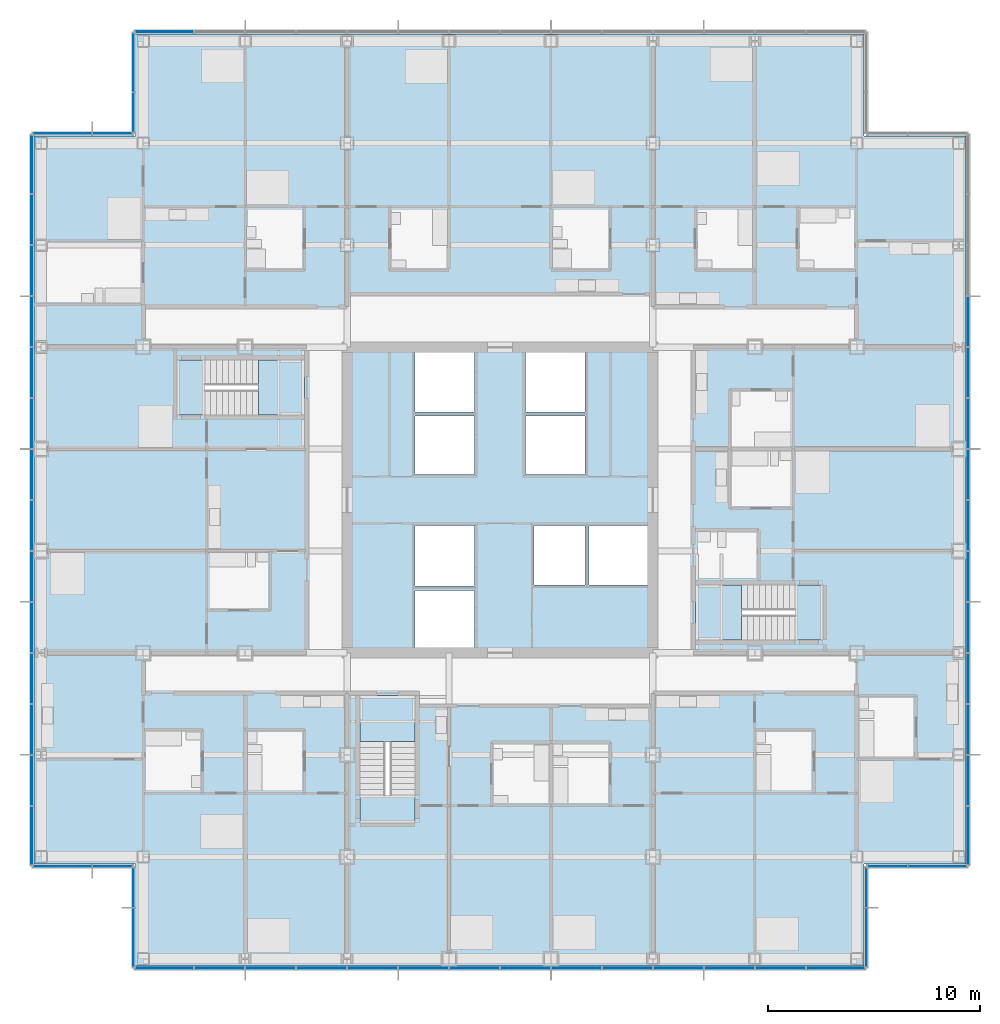
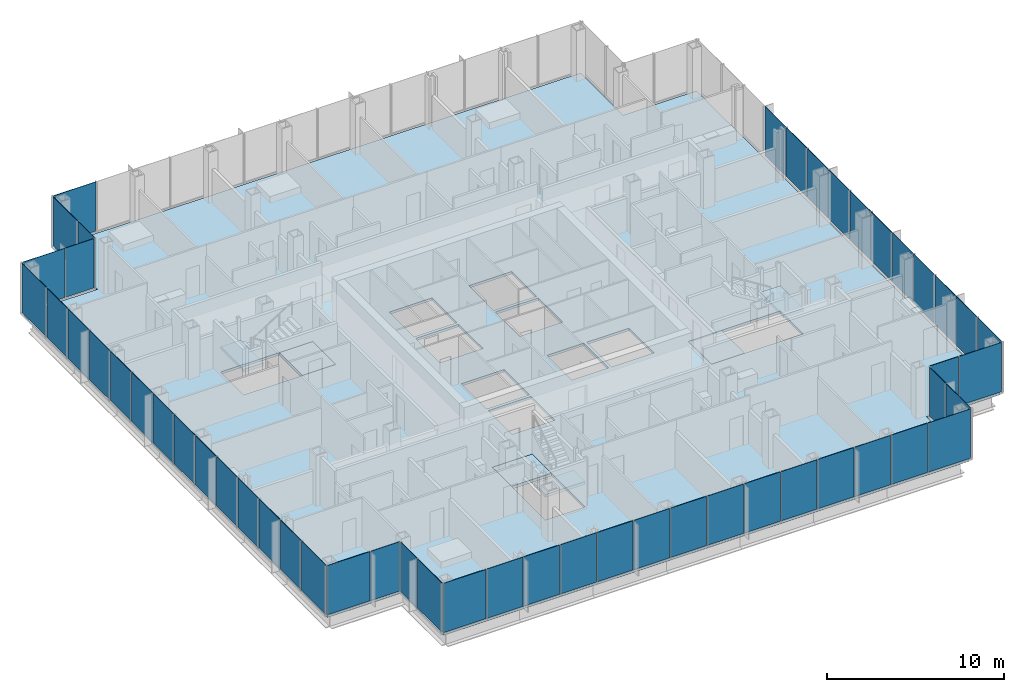
# One storey, part 12 of 21: 52 plates, 7 slabs, 13 elements without a shape of their own.
"""IFC4 building model written with IfcOpenShell, lengths in metres."""

from ifc_helpers import new_model, si_unit, direction, frame, origin, origin_2d, place, context, subcontext, project, spatial, polyline, rectangle, outline, extrude, material, layer, layer_set, type_object, element, aggregate, save


model = new_model("IFC4")

# Units and contexts
model_context = context("Model", 3, precision=1e-05, world=origin(), true_north=direction((0.0, 1.0)))
body_context = subcontext(model_context, "Body", "Model", "MODEL_VIEW")
ifc_project = project(units=[si_unit("LENGTHUNIT", "METRE"), si_unit("AREAUNIT", "SQUARE_METRE"), si_unit("VOLUMEUNIT", "CUBIC_METRE"), si_unit("PLANEANGLEUNIT", "RADIAN"), si_unit("MASSUNIT", "GRAM", prefix="KILO")], contexts=[model_context])

# Site, building, storey
site_placement = place(None, origin())
site = spatial("IfcSite", under=ifc_project, at=site_placement, CompositionType="ELEMENT")
building_placement = place(site_placement, origin())
building = spatial("IfcBuilding", under=site, at=building_placement, Name="Kvirike Care Tower", CompositionType="ELEMENT")
storey_placement = place(building_placement, frame((0.0, 0.0, 44.5)))
storey = spatial("IfcBuildingStorey", under=building, at=storey_placement, Name="L11", CompositionType="ELEMENT", Elevation=44.5)

# Slab
ifc_material_1 = material(Name="Concrete C35/45", Category="concrete")
ifc_layer_1 = layer(ifc_material_1, 0.169921875)
ifc_layer_set_1 = layer_set([ifc_layer_1], Name="FLOOR SLAB 170")
slab_type_1 = type_object("IfcSlabType", Name="FLOOR SLAB 170", PredefinedType="FLOOR", material=ifc_layer_set_1)
slab_1_placement = place(storey_placement, frame((0.0, 0.0, -0.169921875)))
element("IfcSlab", 1, at=slab_1_placement, inside=storey, type_object=slab_type_1, Name="Floor slab L11", PredefinedType="FLOOR", context=body_context, shape_type="SweptSolid", body=[
    extrude(outline(polyline([(-0.35009765625, 53.14990234375), (-0.35009765625, 18.85009765625), (4.449951171875, 18.85009765625), (4.449951171875, 14.050048828125), (38.75, 14.050048828125), (38.75, 18.85009765625), (43.550048828125, 18.85009765625), (43.550048828125, 53.14990234375), (38.75, 53.14990234375), (38.75, 57.949951171875), (4.449951171875, 57.949951171875), (4.449951171875, 53.14990234375), (-0.35009765625, 53.14990234375)]), holes=[polyline([(17.60009765625, 29.050048828125), (17.60009765625, 31.75), (20.39990234375, 31.75), (20.39990234375, 29.050048828125), (17.60009765625, 29.050048828125)]), polyline([(17.60009765625, 31.949951171875), (17.60009765625, 34.800048828125), (20.39990234375, 34.800048828125), (20.39990234375, 31.949951171875), (17.60009765625, 31.949951171875)]), polyline([(17.60009765625, 37.199951171875), (17.60009765625, 39.949951171875), (20.39990234375, 39.949951171875), (20.39990234375, 37.199951171875), (17.60009765625, 37.199951171875)]), polyline([(17.60009765625, 40.14990234375), (17.60009765625, 42.949951171875), (20.39990234375, 42.949951171875), (20.39990234375, 40.14990234375), (17.60009765625, 40.14990234375)]), polyline([(22.800048828125, 37.199951171875), (22.800048828125, 39.949951171875), (25.60009765625, 39.949951171875), (25.60009765625, 37.199951171875), (22.800048828125, 37.199951171875)]), polyline([(22.800048828125, 40.14990234375), (22.800048828125, 42.949951171875), (25.60009765625, 42.949951171875), (25.60009765625, 40.14990234375), (22.800048828125, 40.14990234375)]), polyline([(23.199951171875, 32.0), (23.199951171875, 34.800048828125), (25.60009765625, 34.800048828125), (25.60009765625, 32.0), (23.199951171875, 32.0)]), polyline([(25.800048828125, 32.0), (25.800048828125, 34.800048828125), (28.550048828125, 34.800048828125), (28.550048828125, 32.0), (25.800048828125, 32.0)]), polyline([(12.39990234375, 42.60009765625), (12.39990234375, 40.0), (6.39990234375, 40.0), (6.39990234375, 42.60009765625), (12.39990234375, 42.60009765625)]), polyline([(30.800048828125, 29.39990234375), (30.800048828125, 32.0), (36.800048828125, 32.0), (36.800048828125, 29.39990234375), (30.800048828125, 29.39990234375)]), polyline([(15.0, 26.800048828125), (17.60009765625, 26.800048828125), (17.60009765625, 20.800048828125), (15.0, 20.800048828125), (15.0, 26.800048828125)])]), origin(), (0.0, 0.0, 1.0), 0.169921875),
])

# Stair, slabs
ifc_material_2 = material(Name="Concrete C35/45", Category="concrete")
stair_type = type_object("IfcStairType", Name="STAIR 20 RISERS", PredefinedType="HALF_TURN_STAIR", material=ifc_material_2)
stair_1_placement = place(storey_placement, origin())
stair_1 = element("IfcStair", 2, at=stair_1_placement, inside=storey, type_object=stair_type, Name="Stair 1 L11", PredefinedType="HALF_TURN_STAIR")
ifc_material_3 = material(Name="Concrete C35/45", Category="concrete")
ifc_layer_2 = layer(ifc_material_3, 0.199951171875)
ifc_layer_set_2 = layer_set([ifc_layer_2], Name="STAIR LANDING 200")
slab_type_2 = type_object("IfcSlabType", Name="STAIR LANDING 200", PredefinedType="LANDING", material=ifc_layer_set_2)
slab_2_placement = place(storey_placement, frame((0.0, 0.0, -0.199951171875)))
slab_2 = element("IfcSlab", 3, at=slab_2_placement, type_object=slab_type_2, Name="Stair S1 floor landing L11", PredefinedType="LANDING", context=body_context, shape_type="SweptSolid", body=[
    extrude(outline(polyline([(10.219970703125, 42.60009765625), (10.219970703125, 40.0), (12.39990234375, 40.0), (12.39990234375, 42.60009765625), (10.219970703125, 42.60009765625)])), origin(), (0.0, 0.0, 1.0), 0.199951171875),
])
slab_3_placement = place(storey_placement, frame((0.0, 0.0, 1.550048828125)))
slab_3 = element("IfcSlab", 4, at=slab_3_placement, type_object=slab_type_2, Name="Stair S1 half landing L11-L12", PredefinedType="LANDING", context=body_context, shape_type="SweptSolid", body=[
    extrude(outline(polyline([(6.39990234375, 42.60009765625), (6.39990234375, 40.0), (7.699951171875, 40.0), (7.699951171875, 42.60009765625), (6.39990234375, 42.60009765625)])), origin(), (0.0, 0.0, 1.0), 0.199951171875),
])
aggregate(stair_1, [slab_2, slab_3])

stair_2_placement = place(storey_placement, origin())
stair_2 = element("IfcStair", 5, at=stair_2_placement, inside=storey, type_object=stair_type, Name="Stair 2 L11", PredefinedType="HALF_TURN_STAIR")
slab_4_placement = place(storey_placement, frame((0.0, 0.0, -0.199951171875)))
slab_4 = element("IfcSlab", 6, at=slab_4_placement, type_object=slab_type_2, Name="Stair S2 floor landing L11", PredefinedType="LANDING", context=body_context, shape_type="SweptSolid", body=[
    extrude(outline(polyline([(32.97998046875, 29.39990234375), (32.97998046875, 32.0), (30.800048828125, 32.0), (30.800048828125, 29.39990234375), (32.97998046875, 29.39990234375)])), origin(), (0.0, 0.0, 1.0), 0.199951171875),
])
slab_5_placement = place(storey_placement, frame((0.0, 0.0, 1.550048828125)))
slab_5 = element("IfcSlab", 7, at=slab_5_placement, type_object=slab_type_2, Name="Stair S2 half landing L11-L12", PredefinedType="LANDING", context=body_context, shape_type="SweptSolid", body=[
    extrude(outline(polyline([(36.800048828125, 29.39990234375), (36.800048828125, 32.0), (35.5, 32.0), (35.5, 29.39990234375), (36.800048828125, 29.39990234375)])), origin(), (0.0, 0.0, 1.0), 0.199951171875),
])
aggregate(stair_2, [slab_4, slab_5])

stair_3_placement = place(storey_placement, origin())
stair_3 = element("IfcStair", 8, at=stair_3_placement, inside=storey, type_object=stair_type, Name="Stair 5 L11", PredefinedType="HALF_TURN_STAIR")
slab_6_placement = place(storey_placement, frame((0.0, 0.0, -0.199951171875)))
slab_6 = element("IfcSlab", 9, at=slab_6_placement, type_object=slab_type_2, Name="Stair S5 floor landing L11", PredefinedType="LANDING", context=body_context, shape_type="SweptSolid", body=[
    extrude(outline(polyline([(15.0, 24.6201171875), (17.60009765625, 24.6201171875), (17.60009765625, 26.800048828125), (15.0, 26.800048828125), (15.0, 24.6201171875)])), origin(), (0.0, 0.0, 1.0), 0.199951171875),
])
slab_7_placement = place(storey_placement, frame((0.0, 0.0, 1.550048828125)))
slab_7 = element("IfcSlab", 10, at=slab_7_placement, type_object=slab_type_2, Name="Stair S5 half landing L11-L12", PredefinedType="LANDING", context=body_context, shape_type="SweptSolid", body=[
    extrude(outline(polyline([(15.0, 20.800048828125), (17.60009765625, 20.800048828125), (17.60009765625, 22.10009765625), (15.0, 22.10009765625), (15.0, 20.800048828125)])), origin(), (0.0, 0.0, 1.0), 0.199951171875),
])
aggregate(stair_3, [slab_6, slab_7])

# Curtain wall, plates
ifc_material_4 = material(Name="Anodised aluminium stick system", Category="aluminium")
curtain_wall_type = type_object("IfcCurtainWallType", Name="CW-A STICK CURTAIN WALL", PredefinedType="NOTDEFINED", material=ifc_material_4)
curtain_wall_1_placement = place(storey_placement, origin())
curtain_wall_1 = element("IfcCurtainWall", 11, at=curtain_wall_1_placement, inside=storey, type_object=curtain_wall_type, Name="Curtain wall L11 face 1", PredefinedType="NOTDEFINED")
ifc_material_5 = material(Name="Tinted double glazed unit", Category="glass")
ifc_layer_3 = layer(ifc_material_5, 0.031982421875)
ifc_layer_set_3 = layer_set([ifc_layer_3], Name="TINTED VISION PANEL 32")
plate_type = type_object("IfcPlateType", Name="TINTED VISION PANEL 32", PredefinedType="CURTAIN_PANEL", material=ifc_layer_set_3)
plate_1_placement = place(storey_placement, frame((-0.449951171875, 51.808837890625, 0.10009765625), z_axis=(0.0, 0.0, 1.0), x_axis=(0.0, -1.0, 0.0)))
plate_1 = element("IfcPlate", 12, at=plate_1_placement, type_object=plate_type, Name="CW-A panel L11 face 1.1", PredefinedType="CURTAIN_PANEL", context=body_context, shape_type="SweptSolid", body=[
    extrude(rectangle(XDim=2.75244140625, YDim=0.031982421875, at=origin_2d()), origin(), (0.0, 0.0, 1.0), 3.39990234375),
])
plate_2_placement = place(storey_placement, frame((-0.449951171875, 49.199951171875, 0.10009765625), z_axis=(0.0, 0.0, 1.0), x_axis=(0.0, -1.0, 0.0)))
plate_2 = element("IfcPlate", 13, at=plate_2_placement, type_object=plate_type, Name="CW-A panel L11 face 1.2", PredefinedType="CURTAIN_PANEL", context=body_context, shape_type="SweptSolid", body=[
    extrude(rectangle(XDim=2.3349609375, YDim=0.031982421875, at=origin_2d()), origin(), (0.0, 0.0, 1.0), 3.39990234375),
])
plate_3_placement = place(storey_placement, frame((-0.449951171875, 46.800048828125, 0.10009765625), z_axis=(0.0, 0.0, 1.0), x_axis=(0.0, -1.0, 0.0)))
plate_3 = element("IfcPlate", 14, at=plate_3_placement, type_object=plate_type, Name="CW-A panel L11 face 1.3", PredefinedType="CURTAIN_PANEL", context=body_context, shape_type="SweptSolid", body=[
    extrude(rectangle(XDim=2.3349609375, YDim=0.031982421875, at=origin_2d()), origin(), (0.0, 0.0, 1.0), 3.39990234375),
])
plate_4_placement = place(storey_placement, frame((-0.449951171875, 44.39990234375, 0.10009765625), z_axis=(0.0, 0.0, 1.0), x_axis=(0.0, -1.0, 0.0)))
plate_4 = element("IfcPlate", 15, at=plate_4_placement, type_object=plate_type, Name="CW-A panel L11 face 1.4", PredefinedType="CURTAIN_PANEL", context=body_context, shape_type="SweptSolid", body=[
    extrude(rectangle(XDim=2.3349609375, YDim=0.031982421875, at=origin_2d()), origin(), (0.0, 0.0, 1.0), 3.39990234375),
])
plate_5_placement = place(storey_placement, frame((-0.449951171875, 42.0, 0.10009765625), z_axis=(0.0, 0.0, 1.0), x_axis=(0.0, -1.0, 0.0)))
plate_5 = element("IfcPlate", 16, at=plate_5_placement, type_object=plate_type, Name="CW-A panel L11 face 1.5", PredefinedType="CURTAIN_PANEL", context=body_context, shape_type="SweptSolid", body=[
    extrude(rectangle(XDim=2.3349609375, YDim=0.031982421875, at=origin_2d()), origin(), (0.0, 0.0, 1.0), 3.39990234375),
])
plate_6_placement = place(storey_placement, frame((-0.449951171875, 39.60009765625, 0.10009765625), z_axis=(0.0, 0.0, 1.0), x_axis=(0.0, -1.0, 0.0)))
plate_6 = element("IfcPlate", 17, at=plate_6_placement, type_object=plate_type, Name="CW-A panel L11 face 1.6", PredefinedType="CURTAIN_PANEL", context=body_context, shape_type="SweptSolid", body=[
    extrude(rectangle(XDim=2.3349609375, YDim=0.031982421875, at=origin_2d()), origin(), (0.0, 0.0, 1.0), 3.39990234375),
])
plate_7_placement = place(storey_placement, frame((-0.449951171875, 37.199951171875, 0.10009765625), z_axis=(0.0, 0.0, 1.0), x_axis=(0.0, -1.0, 0.0)))
plate_7 = element("IfcPlate", 18, at=plate_7_placement, type_object=plate_type, Name="CW-A panel L11 face 1.7", PredefinedType="CURTAIN_PANEL", context=body_context, shape_type="SweptSolid", body=[
    extrude(rectangle(XDim=2.3349609375, YDim=0.031982421875, at=origin_2d()), origin(), (0.0, 0.0, 1.0), 3.39990234375),
])
plate_8_placement = place(storey_placement, frame((-0.449951171875, 34.800048828125, 0.10009765625), z_axis=(0.0, 0.0, 1.0), x_axis=(0.0, -1.0, 0.0)))
plate_8 = element("IfcPlate", 19, at=plate_8_placement, type_object=plate_type, Name="CW-A panel L11 face 1.8", PredefinedType="CURTAIN_PANEL", context=body_context, shape_type="SweptSolid", body=[
    extrude(rectangle(XDim=2.3349609375, YDim=0.031982421875, at=origin_2d()), origin(), (0.0, 0.0, 1.0), 3.39990234375),
])
plate_9_placement = place(storey_placement, frame((-0.449951171875, 32.39990234375, 0.10009765625), z_axis=(0.0, 0.0, 1.0), x_axis=(0.0, -1.0, 0.0)))
plate_9 = element("IfcPlate", 20, at=plate_9_placement, type_object=plate_type, Name="CW-A panel L11 face 1.9", PredefinedType="CURTAIN_PANEL", context=body_context, shape_type="SweptSolid", body=[
    extrude(rectangle(XDim=2.3349609375, YDim=0.031982421875, at=origin_2d()), origin(), (0.0, 0.0, 1.0), 3.39990234375),
])
plate_10_placement = place(storey_placement, frame((-0.449951171875, 30.0, 0.10009765625), z_axis=(0.0, 0.0, 1.0), x_axis=(0.0, -1.0, 0.0)))
plate_10 = element("IfcPlate", 21, at=plate_10_placement, type_object=plate_type, Name="CW-A panel L11 face 1.10", PredefinedType="CURTAIN_PANEL", context=body_context, shape_type="SweptSolid", body=[
    extrude(rectangle(XDim=2.3349609375, YDim=0.031982421875, at=origin_2d()), origin(), (0.0, 0.0, 1.0), 3.39990234375),
])
plate_11_placement = place(storey_placement, frame((-0.449951171875, 27.60009765625, 0.10009765625), z_axis=(0.0, 0.0, 1.0), x_axis=(0.0, -1.0, 0.0)))
plate_11 = element("IfcPlate", 22, at=plate_11_placement, type_object=plate_type, Name="CW-A panel L11 face 1.11", PredefinedType="CURTAIN_PANEL", context=body_context, shape_type="SweptSolid", body=[
    extrude(rectangle(XDim=2.3349609375, YDim=0.031982421875, at=origin_2d()), origin(), (0.0, 0.0, 1.0), 3.39990234375),
])
plate_12_placement = place(storey_placement, frame((-0.449951171875, 25.199951171875, 0.10009765625), z_axis=(0.0, 0.0, 1.0), x_axis=(0.0, -1.0, 0.0)))
plate_12 = element("IfcPlate", 23, at=plate_12_placement, type_object=plate_type, Name="CW-A panel L11 face 1.12", PredefinedType="CURTAIN_PANEL", context=body_context, shape_type="SweptSolid", body=[
    extrude(rectangle(XDim=2.3349609375, YDim=0.031982421875, at=origin_2d()), origin(), (0.0, 0.0, 1.0), 3.39990234375),
])
plate_13_placement = place(storey_placement, frame((-0.449951171875, 22.800048828125, 0.10009765625), z_axis=(0.0, 0.0, 1.0), x_axis=(0.0, -1.0, 0.0)))
plate_13 = element("IfcPlate", 24, at=plate_13_placement, type_object=plate_type, Name="CW-A panel L11 face 1.13", PredefinedType="CURTAIN_PANEL", context=body_context, shape_type="SweptSolid", body=[
    extrude(rectangle(XDim=2.3349609375, YDim=0.031982421875, at=origin_2d()), origin(), (0.0, 0.0, 1.0), 3.39990234375),
])
plate_14_placement = place(storey_placement, frame((-0.449951171875, 20.191162109375, 0.10009765625), z_axis=(0.0, 0.0, 1.0), x_axis=(0.0, -1.0, 0.0)))
plate_14 = element("IfcPlate", 25, at=plate_14_placement, type_object=plate_type, Name="CW-A panel L11 face 1.14", PredefinedType="CURTAIN_PANEL", context=body_context, shape_type="SweptSolid", body=[
    extrude(rectangle(XDim=2.75244140625, YDim=0.031982421875, at=origin_2d()), origin(), (0.0, 0.0, 1.0), 3.39990234375),
])
aggregate(curtain_wall_1, [plate_1, plate_2, plate_3, plate_4, plate_5, plate_6, plate_7, plate_8, plate_9, plate_10, plate_11, plate_12, plate_13, plate_14])

curtain_wall_2_placement = place(storey_placement, origin())
curtain_wall_2 = element("IfcCurtainWall", 26, at=curtain_wall_2_placement, inside=storey, type_object=curtain_wall_type, Name="Curtain wall L11 face 2", PredefinedType="NOTDEFINED")
plate_15_placement = place(storey_placement, frame((0.9912109375, 18.75, 0.10009765625), z_axis=(0.0, 0.0, 1.0), x_axis=(1.0, 0.0, 0.0)))
plate_15 = element("IfcPlate", 27, at=plate_15_placement, type_object=plate_type, Name="CW-A panel L11 face 2.1", PredefinedType="CURTAIN_PANEL", context=body_context, shape_type="SweptSolid", body=[
    extrude(rectangle(XDim=2.75244140625, YDim=0.031982421875, at=origin_2d()), origin(), (0.0, 0.0, 1.0), 3.39990234375),
])
plate_16_placement = place(storey_placement, frame((3.358642578125, 18.75, 0.10009765625), z_axis=(0.0, 0.0, 1.0), x_axis=(1.0, 0.0, 0.0)))
plate_16 = element("IfcPlate", 28, at=plate_16_placement, type_object=plate_type, Name="CW-A panel L11 face 2.2", PredefinedType="CURTAIN_PANEL", context=body_context, shape_type="SweptSolid", body=[
    extrude(rectangle(XDim=1.8525390625, YDim=0.031982421875, at=origin_2d()), origin(), (0.0, 0.0, 1.0), 3.39990234375),
])
aggregate(curtain_wall_2, [plate_15, plate_16])

curtain_wall_3_placement = place(storey_placement, origin())
curtain_wall_3 = element("IfcCurtainWall", 29, at=curtain_wall_3_placement, inside=storey, type_object=curtain_wall_type, Name="Curtain wall L11 face 3", PredefinedType="NOTDEFINED")
plate_17_placement = place(storey_placement, frame((4.35009765625, 17.7587890625, 0.10009765625), z_axis=(0.0, 0.0, 1.0), x_axis=(0.0, -1.0, 0.0)))
plate_17 = element("IfcPlate", 30, at=plate_17_placement, type_object=plate_type, Name="CW-A panel L11 face 3.1", PredefinedType="CURTAIN_PANEL", context=body_context, shape_type="SweptSolid", body=[
    extrude(rectangle(XDim=1.8525390625, YDim=0.031982421875, at=origin_2d()), origin(), (0.0, 0.0, 1.0), 3.39990234375),
])
plate_18_placement = place(storey_placement, frame((4.35009765625, 15.391357421875, 0.10009765625), z_axis=(0.0, 0.0, 1.0), x_axis=(0.0, -1.0, 0.0)))
plate_18 = element("IfcPlate", 31, at=plate_18_placement, type_object=plate_type, Name="CW-A panel L11 face 3.2", PredefinedType="CURTAIN_PANEL", context=body_context, shape_type="SweptSolid", body=[
    extrude(rectangle(XDim=2.75244140625, YDim=0.031982421875, at=origin_2d()), origin(), (0.0, 0.0, 1.0), 3.39990234375),
])
aggregate(curtain_wall_3, [plate_17, plate_18])

curtain_wall_4_placement = place(storey_placement, origin())
curtain_wall_4 = element("IfcCurtainWall", 32, at=curtain_wall_4_placement, inside=storey, type_object=curtain_wall_type, Name="Curtain wall L11 face 4", PredefinedType="NOTDEFINED")
plate_19_placement = place(storey_placement, frame((5.791259765625, 13.949951171875, 0.10009765625), z_axis=(0.0, 0.0, 1.0), x_axis=(1.0, 0.0, 0.0)))
plate_19 = element("IfcPlate", 33, at=plate_19_placement, type_object=plate_type, Name="CW-A panel L11 face 4.1", PredefinedType="CURTAIN_PANEL", context=body_context, shape_type="SweptSolid", body=[
    extrude(rectangle(XDim=2.75244140625, YDim=0.031982421875, at=origin_2d()), origin(), (0.0, 0.0, 1.0), 3.39990234375),
])
plate_20_placement = place(storey_placement, frame((8.39990234375, 13.949951171875, 0.10009765625), z_axis=(0.0, 0.0, 1.0), x_axis=(1.0, 0.0, 0.0)))
plate_20 = element("IfcPlate", 34, at=plate_20_placement, type_object=plate_type, Name="CW-A panel L11 face 4.2", PredefinedType="CURTAIN_PANEL", context=body_context, shape_type="SweptSolid", body=[
    extrude(rectangle(XDim=2.3349609375, YDim=0.031982421875, at=origin_2d()), origin(), (0.0, 0.0, 1.0), 3.39990234375),
])
plate_21_placement = place(storey_placement, frame((10.800048828125, 13.949951171875, 0.10009765625), z_axis=(0.0, 0.0, 1.0), x_axis=(1.0, 0.0, 0.0)))
plate_21 = element("IfcPlate", 35, at=plate_21_placement, type_object=plate_type, Name="CW-A panel L11 face 4.3", PredefinedType="CURTAIN_PANEL", context=body_context, shape_type="SweptSolid", body=[
    extrude(rectangle(XDim=2.3349609375, YDim=0.031982421875, at=origin_2d()), origin(), (0.0, 0.0, 1.0), 3.39990234375),
])
plate_22_placement = place(storey_placement, frame((13.199951171875, 13.949951171875, 0.10009765625), z_axis=(0.0, 0.0, 1.0), x_axis=(1.0, 0.0, 0.0)))
plate_22 = element("IfcPlate", 36, at=plate_22_placement, type_object=plate_type, Name="CW-A panel L11 face 4.4", PredefinedType="CURTAIN_PANEL", context=body_context, shape_type="SweptSolid", body=[
    extrude(rectangle(XDim=2.3349609375, YDim=0.031982421875, at=origin_2d()), origin(), (0.0, 0.0, 1.0), 3.39990234375),
])
plate_23_placement = place(storey_placement, frame((15.60009765625, 13.949951171875, 0.10009765625), z_axis=(0.0, 0.0, 1.0), x_axis=(1.0, 0.0, 0.0)))
plate_23 = element("IfcPlate", 37, at=plate_23_placement, type_object=plate_type, Name="CW-A panel L11 face 4.5", PredefinedType="CURTAIN_PANEL", context=body_context, shape_type="SweptSolid", body=[
    extrude(rectangle(XDim=2.3349609375, YDim=0.031982421875, at=origin_2d()), origin(), (0.0, 0.0, 1.0), 3.39990234375),
])
plate_24_placement = place(storey_placement, frame((18.0, 13.949951171875, 0.10009765625), z_axis=(0.0, 0.0, 1.0), x_axis=(1.0, 0.0, 0.0)))
plate_24 = element("IfcPlate", 38, at=plate_24_placement, type_object=plate_type, Name="CW-A panel L11 face 4.6", PredefinedType="CURTAIN_PANEL", context=body_context, shape_type="SweptSolid", body=[
    extrude(rectangle(XDim=2.3349609375, YDim=0.031982421875, at=origin_2d()), origin(), (0.0, 0.0, 1.0), 3.39990234375),
])
plate_25_placement = place(storey_placement, frame((20.39990234375, 13.949951171875, 0.10009765625), z_axis=(0.0, 0.0, 1.0), x_axis=(1.0, 0.0, 0.0)))
plate_25 = element("IfcPlate", 39, at=plate_25_placement, type_object=plate_type, Name="CW-A panel L11 face 4.7", PredefinedType="CURTAIN_PANEL", context=body_context, shape_type="SweptSolid", body=[
    extrude(rectangle(XDim=2.3349609375, YDim=0.031982421875, at=origin_2d()), origin(), (0.0, 0.0, 1.0), 3.39990234375),
])
plate_26_placement = place(storey_placement, frame((22.800048828125, 13.949951171875, 0.10009765625), z_axis=(0.0, 0.0, 1.0), x_axis=(1.0, 0.0, 0.0)))
plate_26 = element("IfcPlate", 40, at=plate_26_placement, type_object=plate_type, Name="CW-A panel L11 face 4.8", PredefinedType="CURTAIN_PANEL", context=body_context, shape_type="SweptSolid", body=[
    extrude(rectangle(XDim=2.3349609375, YDim=0.031982421875, at=origin_2d()), origin(), (0.0, 0.0, 1.0), 3.39990234375),
])
plate_27_placement = place(storey_placement, frame((25.199951171875, 13.949951171875, 0.10009765625), z_axis=(0.0, 0.0, 1.0), x_axis=(1.0, 0.0, 0.0)))
plate_27 = element("IfcPlate", 41, at=plate_27_placement, type_object=plate_type, Name="CW-A panel L11 face 4.9", PredefinedType="CURTAIN_PANEL", context=body_context, shape_type="SweptSolid", body=[
    extrude(rectangle(XDim=2.3349609375, YDim=0.031982421875, at=origin_2d()), origin(), (0.0, 0.0, 1.0), 3.39990234375),
])
plate_28_placement = place(storey_placement, frame((27.60009765625, 13.949951171875, 0.10009765625), z_axis=(0.0, 0.0, 1.0), x_axis=(1.0, 0.0, 0.0)))
plate_28 = element("IfcPlate", 42, at=plate_28_placement, type_object=plate_type, Name="CW-A panel L11 face 4.10", PredefinedType="CURTAIN_PANEL", context=body_context, shape_type="SweptSolid", body=[
    extrude(rectangle(XDim=2.3349609375, YDim=0.031982421875, at=origin_2d()), origin(), (0.0, 0.0, 1.0), 3.39990234375),
])
plate_29_placement = place(storey_placement, frame((30.0, 13.949951171875, 0.10009765625), z_axis=(0.0, 0.0, 1.0), x_axis=(1.0, 0.0, 0.0)))
plate_29 = element("IfcPlate", 43, at=plate_29_placement, type_object=plate_type, Name="CW-A panel L11 face 4.11", PredefinedType="CURTAIN_PANEL", context=body_context, shape_type="SweptSolid", body=[
    extrude(rectangle(XDim=2.3349609375, YDim=0.031982421875, at=origin_2d()), origin(), (0.0, 0.0, 1.0), 3.39990234375),
])
plate_30_placement = place(storey_placement, frame((32.39990234375, 13.949951171875, 0.10009765625), z_axis=(0.0, 0.0, 1.0), x_axis=(1.0, 0.0, 0.0)))
plate_30 = element("IfcPlate", 44, at=plate_30_placement, type_object=plate_type, Name="CW-A panel L11 face 4.12", PredefinedType="CURTAIN_PANEL", context=body_context, shape_type="SweptSolid", body=[
    extrude(rectangle(XDim=2.3349609375, YDim=0.031982421875, at=origin_2d()), origin(), (0.0, 0.0, 1.0), 3.39990234375),
])
plate_31_placement = place(storey_placement, frame((34.800048828125, 13.949951171875, 0.10009765625), z_axis=(0.0, 0.0, 1.0), x_axis=(1.0, 0.0, 0.0)))
plate_31 = element("IfcPlate", 45, at=plate_31_placement, type_object=plate_type, Name="CW-A panel L11 face 4.13", PredefinedType="CURTAIN_PANEL", context=body_context, shape_type="SweptSolid", body=[
    extrude(rectangle(XDim=2.3349609375, YDim=0.031982421875, at=origin_2d()), origin(), (0.0, 0.0, 1.0), 3.39990234375),
])
plate_32_placement = place(storey_placement, frame((37.40869140625, 13.949951171875, 0.10009765625), z_axis=(0.0, 0.0, 1.0), x_axis=(1.0, 0.0, 0.0)))
plate_32 = element("IfcPlate", 46, at=plate_32_placement, type_object=plate_type, Name="CW-A panel L11 face 4.14", PredefinedType="CURTAIN_PANEL", context=body_context, shape_type="SweptSolid", body=[
    extrude(rectangle(XDim=2.75244140625, YDim=0.031982421875, at=origin_2d()), origin(), (0.0, 0.0, 1.0), 3.39990234375),
])
aggregate(curtain_wall_4, [plate_19, plate_20, plate_21, plate_22, plate_23, plate_24, plate_25, plate_26, plate_27, plate_28, plate_29, plate_30, plate_31, plate_32])

curtain_wall_5_placement = place(storey_placement, origin())
curtain_wall_5 = element("IfcCurtainWall", 47, at=curtain_wall_5_placement, inside=storey, type_object=curtain_wall_type, Name="Curtain wall L11 face 5", PredefinedType="NOTDEFINED")
plate_33_placement = place(storey_placement, frame((38.85009765625, 15.391357421875, 0.10009765625), z_axis=(0.0, 0.0, 1.0), x_axis=(0.0, 1.0, 0.0)))
plate_33 = element("IfcPlate", 48, at=plate_33_placement, type_object=plate_type, Name="CW-A panel L11 face 5.1", PredefinedType="CURTAIN_PANEL", context=body_context, shape_type="SweptSolid", body=[
    extrude(rectangle(XDim=2.75244140625, YDim=0.031982421875, at=origin_2d()), origin(), (0.0, 0.0, 1.0), 3.39990234375),
])
plate_34_placement = place(storey_placement, frame((38.85009765625, 17.7587890625, 0.10009765625), z_axis=(0.0, 0.0, 1.0), x_axis=(0.0, 1.0, 0.0)))
plate_34 = element("IfcPlate", 49, at=plate_34_placement, type_object=plate_type, Name="CW-A panel L11 face 5.2", PredefinedType="CURTAIN_PANEL", context=body_context, shape_type="SweptSolid", body=[
    extrude(rectangle(XDim=1.8525390625, YDim=0.031982421875, at=origin_2d()), origin(), (0.0, 0.0, 1.0), 3.39990234375),
])
aggregate(curtain_wall_5, [plate_33, plate_34])

curtain_wall_6_placement = place(storey_placement, origin())
curtain_wall_6 = element("IfcCurtainWall", 50, at=curtain_wall_6_placement, inside=storey, type_object=curtain_wall_type, Name="Curtain wall L11 face 6", PredefinedType="NOTDEFINED")
plate_35_placement = place(storey_placement, frame((39.84130859375, 18.75, 0.10009765625), z_axis=(0.0, 0.0, 1.0), x_axis=(1.0, 0.0, 0.0)))
plate_35 = element("IfcPlate", 51, at=plate_35_placement, type_object=plate_type, Name="CW-A panel L11 face 6.1", PredefinedType="CURTAIN_PANEL", context=body_context, shape_type="SweptSolid", body=[
    extrude(rectangle(XDim=1.8525390625, YDim=0.031982421875, at=origin_2d()), origin(), (0.0, 0.0, 1.0), 3.39990234375),
])
plate_36_placement = place(storey_placement, frame((42.208740234375, 18.75, 0.10009765625), z_axis=(0.0, 0.0, 1.0), x_axis=(1.0, 0.0, 0.0)))
plate_36 = element("IfcPlate", 52, at=plate_36_placement, type_object=plate_type, Name="CW-A panel L11 face 6.2", PredefinedType="CURTAIN_PANEL", context=body_context, shape_type="SweptSolid", body=[
    extrude(rectangle(XDim=2.75244140625, YDim=0.031982421875, at=origin_2d()), origin(), (0.0, 0.0, 1.0), 3.39990234375),
])
aggregate(curtain_wall_6, [plate_35, plate_36])

curtain_wall_7_placement = place(storey_placement, origin())
curtain_wall_7 = element("IfcCurtainWall", 53, at=curtain_wall_7_placement, inside=storey, type_object=curtain_wall_type, Name="Curtain wall L11 face 7", PredefinedType="NOTDEFINED")
plate_37_placement = place(storey_placement, frame((43.64990234375, 20.191162109375, 0.10009765625), z_axis=(0.0, 0.0, 1.0), x_axis=(0.0, 1.0, 0.0)))
plate_37 = element("IfcPlate", 54, at=plate_37_placement, type_object=plate_type, Name="CW-A panel L11 face 7.1", PredefinedType="CURTAIN_PANEL", context=body_context, shape_type="SweptSolid", body=[
    extrude(rectangle(XDim=2.75244140625, YDim=0.031982421875, at=origin_2d()), origin(), (0.0, 0.0, 1.0), 3.39990234375),
])
plate_38_placement = place(storey_placement, frame((43.64990234375, 22.800048828125, 0.10009765625), z_axis=(0.0, 0.0, 1.0), x_axis=(0.0, 1.0, 0.0)))
plate_38 = element("IfcPlate", 55, at=plate_38_placement, type_object=plate_type, Name="CW-A panel L11 face 7.2", PredefinedType="CURTAIN_PANEL", context=body_context, shape_type="SweptSolid", body=[
    extrude(rectangle(XDim=2.3349609375, YDim=0.031982421875, at=origin_2d()), origin(), (0.0, 0.0, 1.0), 3.39990234375),
])
plate_39_placement = place(storey_placement, frame((43.64990234375, 25.199951171875, 0.10009765625), z_axis=(0.0, 0.0, 1.0), x_axis=(0.0, 1.0, 0.0)))
plate_39 = element("IfcPlate", 56, at=plate_39_placement, type_object=plate_type, Name="CW-A panel L11 face 7.3", PredefinedType="CURTAIN_PANEL", context=body_context, shape_type="SweptSolid", body=[
    extrude(rectangle(XDim=2.3349609375, YDim=0.031982421875, at=origin_2d()), origin(), (0.0, 0.0, 1.0), 3.39990234375),
])
plate_40_placement = place(storey_placement, frame((43.64990234375, 27.60009765625, 0.10009765625), z_axis=(0.0, 0.0, 1.0), x_axis=(0.0, 1.0, 0.0)))
plate_40 = element("IfcPlate", 57, at=plate_40_placement, type_object=plate_type, Name="CW-A panel L11 face 7.4", PredefinedType="CURTAIN_PANEL", context=body_context, shape_type="SweptSolid", body=[
    extrude(rectangle(XDim=2.3349609375, YDim=0.031982421875, at=origin_2d()), origin(), (0.0, 0.0, 1.0), 3.39990234375),
])
plate_41_placement = place(storey_placement, frame((43.64990234375, 30.0, 0.10009765625), z_axis=(0.0, 0.0, 1.0), x_axis=(0.0, 1.0, 0.0)))
plate_41 = element("IfcPlate", 58, at=plate_41_placement, type_object=plate_type, Name="CW-A panel L11 face 7.5", PredefinedType="CURTAIN_PANEL", context=body_context, shape_type="SweptSolid", body=[
    extrude(rectangle(XDim=2.3349609375, YDim=0.031982421875, at=origin_2d()), origin(), (0.0, 0.0, 1.0), 3.39990234375),
])
plate_42_placement = place(storey_placement, frame((43.64990234375, 32.39990234375, 0.10009765625), z_axis=(0.0, 0.0, 1.0), x_axis=(0.0, 1.0, 0.0)))
plate_42 = element("IfcPlate", 59, at=plate_42_placement, type_object=plate_type, Name="CW-A panel L11 face 7.6", PredefinedType="CURTAIN_PANEL", context=body_context, shape_type="SweptSolid", body=[
    extrude(rectangle(XDim=2.3349609375, YDim=0.031982421875, at=origin_2d()), origin(), (0.0, 0.0, 1.0), 3.39990234375),
])
plate_43_placement = place(storey_placement, frame((43.64990234375, 34.800048828125, 0.10009765625), z_axis=(0.0, 0.0, 1.0), x_axis=(0.0, 1.0, 0.0)))
plate_43 = element("IfcPlate", 60, at=plate_43_placement, type_object=plate_type, Name="CW-A panel L11 face 7.7", PredefinedType="CURTAIN_PANEL", context=body_context, shape_type="SweptSolid", body=[
    extrude(rectangle(XDim=2.3349609375, YDim=0.031982421875, at=origin_2d()), origin(), (0.0, 0.0, 1.0), 3.39990234375),
])
plate_44_placement = place(storey_placement, frame((43.64990234375, 37.199951171875, 0.10009765625), z_axis=(0.0, 0.0, 1.0), x_axis=(0.0, 1.0, 0.0)))
plate_44 = element("IfcPlate", 61, at=plate_44_placement, type_object=plate_type, Name="CW-A panel L11 face 7.8", PredefinedType="CURTAIN_PANEL", context=body_context, shape_type="SweptSolid", body=[
    extrude(rectangle(XDim=2.3349609375, YDim=0.031982421875, at=origin_2d()), origin(), (0.0, 0.0, 1.0), 3.39990234375),
])
plate_45_placement = place(storey_placement, frame((43.64990234375, 39.60009765625, 0.10009765625), z_axis=(0.0, 0.0, 1.0), x_axis=(0.0, 1.0, 0.0)))
plate_45 = element("IfcPlate", 62, at=plate_45_placement, type_object=plate_type, Name="CW-A panel L11 face 7.9", PredefinedType="CURTAIN_PANEL", context=body_context, shape_type="SweptSolid", body=[
    extrude(rectangle(XDim=2.3349609375, YDim=0.031982421875, at=origin_2d()), origin(), (0.0, 0.0, 1.0), 3.39990234375),
])
plate_46_placement = place(storey_placement, frame((43.64990234375, 42.0, 0.10009765625), z_axis=(0.0, 0.0, 1.0), x_axis=(0.0, 1.0, 0.0)))
plate_46 = element("IfcPlate", 63, at=plate_46_placement, type_object=plate_type, Name="CW-A panel L11 face 7.10", PredefinedType="CURTAIN_PANEL", context=body_context, shape_type="SweptSolid", body=[
    extrude(rectangle(XDim=2.3349609375, YDim=0.031982421875, at=origin_2d()), origin(), (0.0, 0.0, 1.0), 3.39990234375),
])
plate_47_placement = place(storey_placement, frame((43.64990234375, 44.39990234375, 0.10009765625), z_axis=(0.0, 0.0, 1.0), x_axis=(0.0, 1.0, 0.0)))
plate_47 = element("IfcPlate", 64, at=plate_47_placement, type_object=plate_type, Name="CW-A panel L11 face 7.11", PredefinedType="CURTAIN_PANEL", context=body_context, shape_type="SweptSolid", body=[
    extrude(rectangle(XDim=2.3349609375, YDim=0.031982421875, at=origin_2d()), origin(), (0.0, 0.0, 1.0), 3.39990234375),
])
aggregate(curtain_wall_7, [plate_37, plate_38, plate_39, plate_40, plate_41, plate_42, plate_43, plate_44, plate_45, plate_46, plate_47])

# Curtain wall, plate
curtain_wall_8_placement = place(storey_placement, origin())
curtain_wall_8 = element("IfcCurtainWall", 65, at=curtain_wall_8_placement, inside=storey, type_object=curtain_wall_type, Name="Curtain wall L11 face 10", PredefinedType="NOTDEFINED")
plate_48_placement = place(storey_placement, frame((5.791259765625, 58.050048828125, 0.10009765625), z_axis=(0.0, 0.0, 1.0), x_axis=(-1.0, 0.0, 0.0)))
plate_48 = element("IfcPlate", 66, at=plate_48_placement, type_object=plate_type, Name="CW-A panel L11 face 10.14", PredefinedType="CURTAIN_PANEL", context=body_context, shape_type="SweptSolid", body=[
    extrude(rectangle(XDim=2.75244140625, YDim=0.031982421875, at=origin_2d()), origin(), (0.0, 0.0, 1.0), 3.39990234375),
])
aggregate(curtain_wall_8, [plate_48])

# Curtain wall, plates
curtain_wall_9_placement = place(storey_placement, origin())
curtain_wall_9 = element("IfcCurtainWall", 67, at=curtain_wall_9_placement, inside=storey, type_object=curtain_wall_type, Name="Curtain wall L11 face 11", PredefinedType="NOTDEFINED")
plate_49_placement = place(storey_placement, frame((4.35009765625, 56.608642578125, 0.10009765625), z_axis=(0.0, 0.0, 1.0), x_axis=(0.0, -1.0, 0.0)))
plate_49 = element("IfcPlate", 68, at=plate_49_placement, type_object=plate_type, Name="CW-A panel L11 face 11.1", PredefinedType="CURTAIN_PANEL", context=body_context, shape_type="SweptSolid", body=[
    extrude(rectangle(XDim=2.75244140625, YDim=0.031982421875, at=origin_2d()), origin(), (0.0, 0.0, 1.0), 3.39990234375),
])
plate_50_placement = place(storey_placement, frame((4.35009765625, 54.2412109375, 0.10009765625), z_axis=(0.0, 0.0, 1.0), x_axis=(0.0, -1.0, 0.0)))
plate_50 = element("IfcPlate", 69, at=plate_50_placement, type_object=plate_type, Name="CW-A panel L11 face 11.2", PredefinedType="CURTAIN_PANEL", context=body_context, shape_type="SweptSolid", body=[
    extrude(rectangle(XDim=1.8525390625, YDim=0.031982421875, at=origin_2d()), origin(), (0.0, 0.0, 1.0), 3.39990234375),
])
aggregate(curtain_wall_9, [plate_49, plate_50])

curtain_wall_10_placement = place(storey_placement, origin())
curtain_wall_10 = element("IfcCurtainWall", 70, at=curtain_wall_10_placement, inside=storey, type_object=curtain_wall_type, Name="Curtain wall L11 face 12", PredefinedType="NOTDEFINED")
plate_51_placement = place(storey_placement, frame((3.358642578125, 53.25, 0.10009765625), z_axis=(0.0, 0.0, 1.0), x_axis=(-1.0, 0.0, 0.0)))
plate_51 = element("IfcPlate", 71, at=plate_51_placement, type_object=plate_type, Name="CW-A panel L11 face 12.1", PredefinedType="CURTAIN_PANEL", context=body_context, shape_type="SweptSolid", body=[
    extrude(rectangle(XDim=1.8525390625, YDim=0.031982421875, at=origin_2d()), origin(), (0.0, 0.0, 1.0), 3.39990234375),
])
plate_52_placement = place(storey_placement, frame((0.9912109375, 53.25, 0.10009765625), z_axis=(0.0, 0.0, 1.0), x_axis=(-1.0, 0.0, 0.0)))
plate_52 = element("IfcPlate", 72, at=plate_52_placement, type_object=plate_type, Name="CW-A panel L11 face 12.2", PredefinedType="CURTAIN_PANEL", context=body_context, shape_type="SweptSolid", body=[
    extrude(rectangle(XDim=2.75244140625, YDim=0.031982421875, at=origin_2d()), origin(), (0.0, 0.0, 1.0), 3.39990234375),
])
aggregate(curtain_wall_10, [plate_51, plate_52])

save(model, "model.ifc")
